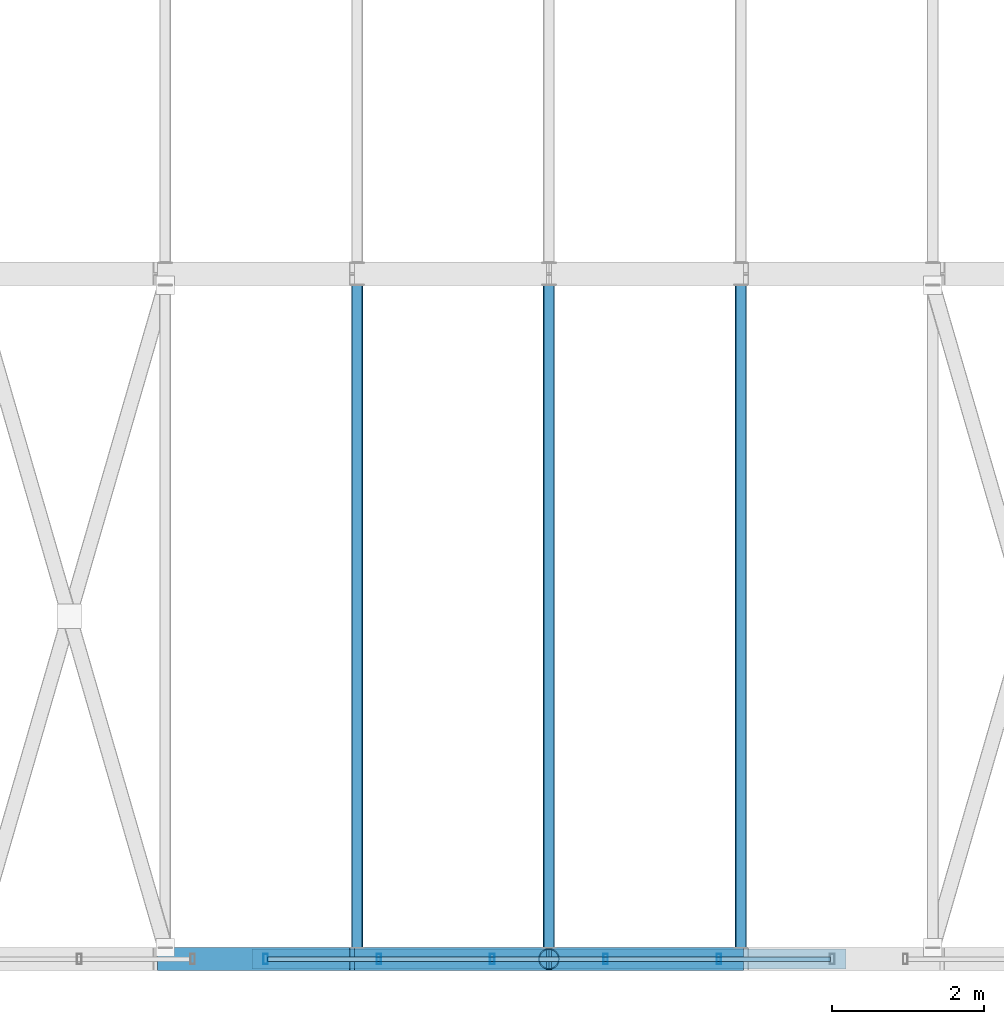
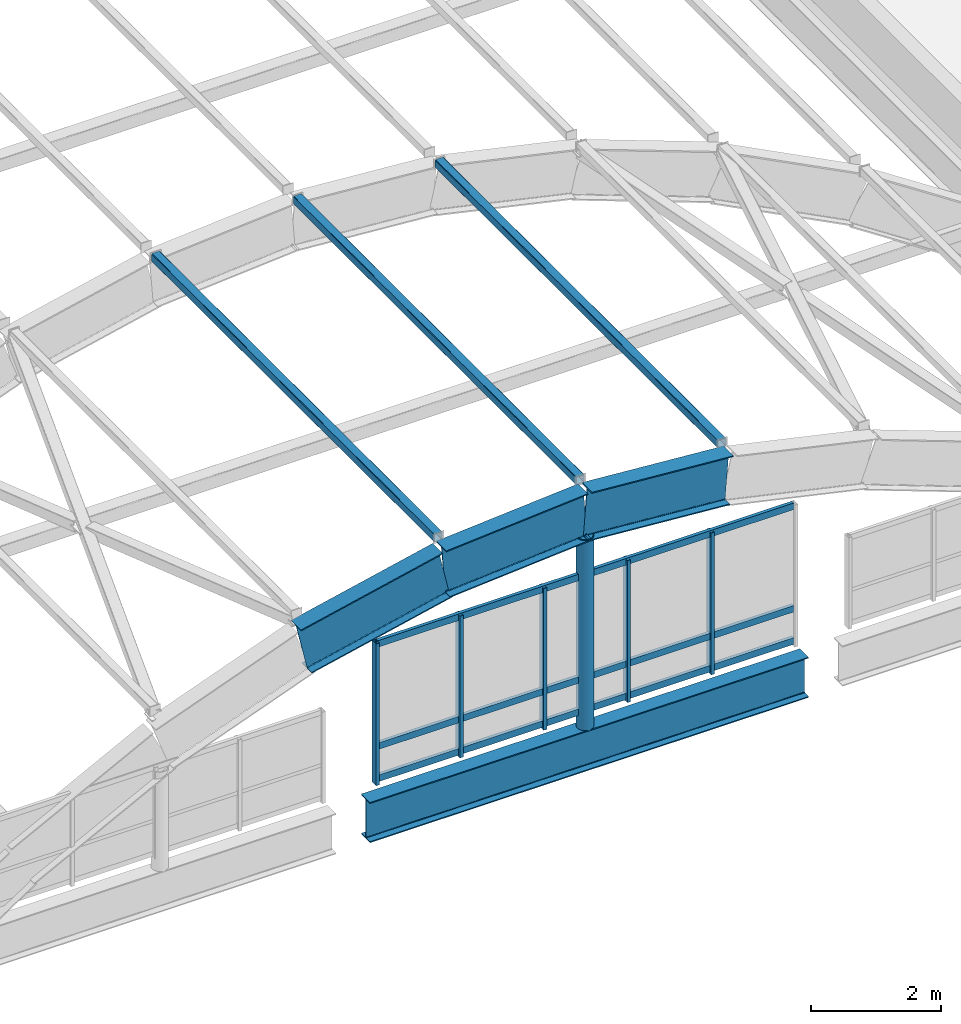
# One storey, part 9 of 130: 12 members, 4 beams, 1 element without a shape of its own.
"""IFC4 building model written with IfcOpenShell, lengths in metres."""

from ifc_helpers import new_model, si_unit, direction, frame, origin, origin_2d, place, context, subcontext, project, spatial, hollow_rectangle, hollow_circle, i_section, extrude, material, layer, layer_set, material_profile, profile_set, type_object, element, aggregate, save


model = new_model("IFC4")

# Units and contexts
model_context = context("Model", 3, precision=1e-05, world=origin(), true_north=direction((0.0, 1.0)))
body_context = subcontext(model_context, "Body", "Model", "MODEL_VIEW")
ifc_project = project(units=[si_unit("LENGTHUNIT", "METRE"), si_unit("AREAUNIT", "SQUARE_METRE"), si_unit("VOLUMEUNIT", "CUBIC_METRE"), si_unit("PLANEANGLEUNIT", "RADIAN"), si_unit("MASSUNIT", "GRAM", prefix="KILO")], contexts=[model_context])

# Site, building, storey
site_placement = place(None, origin())
site = spatial("IfcSite", under=ifc_project, at=site_placement, CompositionType="ELEMENT")
building_placement = place(site_placement, origin())
building = spatial("IfcBuilding", under=site, at=building_placement, Name="Vireocrest Preparatory School", CompositionType="ELEMENT")
storey_placement = place(building_placement, frame((0.0, 0.0, 9.0)))
storey = spatial("IfcBuildingStorey", under=building, at=storey_placement, Name="L02", CompositionType="ELEMENT", Elevation=9.0)

# Members
ifc_material_1 = material(Name="Structural steel ASTM A500 Grade C", Category="steel")
ifc_material_profile_1 = material_profile(ifc_material_1, hollow_rectangle(XDim=0.15234375, YDim=0.15234375, WallThickness=0.0087890625, InnerFilletRadius=0.0087890625, OuterFilletRadius=0.017822265625, at=origin_2d()), Name="HSS6X6X3/8")
ifc_profile_set_1 = profile_set([ifc_material_profile_1], Name="Structural steel ASTM A500 Grade C")
member_type_1 = type_object("IfcMemberType", Name="Barrel Vault Steel Purlin HSS6X6X3/8", PredefinedType="PURLIN", material=ifc_profile_set_1)
for number, where, z_axis, x_axis, name in (
    (1, (10.080078125, 9.1474609375, 4.114990234375), (0.0, 1.0, 0.0), (-1.0, 0.0, 0.0), "Sports Hall Barrel Vault Roof Purlin 1-5"),
    (2, (12.60009765625, 9.1474609375, 4.310302734375), (0.0, 1.0, 0.0), (-1.0, 0.0, 0.0), "Sports Hall Barrel Vault Roof Purlin 1-6"),
    (3, (15.1201171875, 9.1474609375, 4.114990234375), (0.0, 1.0, 0.0), (-1.0, 0.0, 0.0), "Sports Hall Barrel Vault Roof Purlin 1-7"),
):
    element("IfcMember", number, at=place(storey_placement, frame(where, z_axis=z_axis, x_axis=x_axis)), inside=storey, type_object=member_type_1, Name=name, PredefinedType="PURLIN", context=body_context, shape_type="SweptSolid", body=[
        extrude(hollow_rectangle(XDim=0.15234375, YDim=0.15234375, WallThickness=0.0087890625, InnerFilletRadius=0.0087890625, OuterFilletRadius=0.017822265625, at=origin_2d()), origin(), (0.0, 0.0, 1.0), 8.705078125),
    ])

# Curtain wall, members
ifc_material_2 = material(Name="Thermally broken aluminium EN AW-6063-T6", Category="aluminium")
ifc_layer = layer(ifc_material_2, 0.179931640625)
ifc_layer_set = layer_set([ifc_layer], Name="Thermally broken aluminium EN AW-6063-T6")
curtain_wall_type = type_object("IfcCurtainWallType", Name="Vault Centre Gable Clerestory 8400x3800", PredefinedType="USERDEFINED", material=ifc_layer_set)
curtain_wall_placement = place(storey_placement, origin())
curtain_wall = element("IfcCurtainWall", 4, at=curtain_wall_placement, inside=storey, type_object=curtain_wall_type, Name="Curtain Wall CW14 CW_L02_CW14_0088_0090_090", ObjectType="CURTAIN WALL", PredefinedType="USERDEFINED")
ifc_material_profile_2 = material_profile(ifc_material_2, hollow_rectangle(XDim=0.06005859375, YDim=0.135009765625, WallThickness=0.00390625, at=origin_2d()), Name="ALU 60x135x4")
ifc_profile_set_2 = profile_set([ifc_material_profile_2], Name="Thermally broken aluminium EN AW-6063-T6")
member_type_2 = type_object("IfcMemberType", Name="CW Clerestory Mullion 60x135x4", PredefinedType="MULLION", material=ifc_profile_set_2)
member_1_placement = place(storey_placement, frame((8.8798828125, 9.0, 0.0), z_axis=(0.0, 0.0, 1.0), x_axis=(1.0, 0.0, 0.0)))
member_1 = element("IfcMember", 5, at=member_1_placement, type_object=member_type_2, Name="CW Mullion ML6 CW_L02_CW14_0088_0090_090-1", PredefinedType="MULLION", context=body_context, shape_type="SweptSolid", body=[
    extrude(hollow_rectangle(XDim=0.06005859375, YDim=0.135009765625, WallThickness=0.00390625, at=origin_2d()), origin(), (0.0, 0.0, 1.0), 2.6650390625),
])
member_2_placement = place(storey_placement, frame((10.367919921875, 9.0, 0.0), z_axis=(0.0, 0.0, 1.0), x_axis=(1.0, 0.0, 0.0)))
member_2 = element("IfcMember", 6, at=member_2_placement, type_object=member_type_2, Name="CW Mullion ML6 CW_L02_CW14_0088_0090_090-2", PredefinedType="MULLION", context=body_context, shape_type="SweptSolid", body=[
    extrude(hollow_rectangle(XDim=0.06005859375, YDim=0.135009765625, WallThickness=0.00390625, at=origin_2d()), origin(), (0.0, 0.0, 1.0), 2.6650390625),
])
member_3_placement = place(storey_placement, frame((11.85595703125, 9.0, 0.0), z_axis=(0.0, 0.0, 1.0), x_axis=(1.0, 0.0, 0.0)))
member_3 = element("IfcMember", 7, at=member_3_placement, type_object=member_type_2, Name="CW Mullion ML6 CW_L02_CW14_0088_0090_090-3", PredefinedType="MULLION", context=body_context, shape_type="SweptSolid", body=[
    extrude(hollow_rectangle(XDim=0.06005859375, YDim=0.135009765625, WallThickness=0.00390625, at=origin_2d()), origin(), (0.0, 0.0, 1.0), 2.6650390625),
])
member_4_placement = place(storey_placement, frame((13.343994140625, 9.0, 0.0), z_axis=(0.0, 0.0, 1.0), x_axis=(1.0, 0.0, 0.0)))
member_4 = element("IfcMember", 8, at=member_4_placement, type_object=member_type_2, Name="CW Mullion ML6 CW_L02_CW14_0088_0090_090-4", PredefinedType="MULLION", context=body_context, shape_type="SweptSolid", body=[
    extrude(hollow_rectangle(XDim=0.06005859375, YDim=0.135009765625, WallThickness=0.00390625, at=origin_2d()), origin(), (0.0, 0.0, 1.0), 2.6650390625),
])
member_5_placement = place(storey_placement, frame((14.83203125, 9.0, 0.0), z_axis=(0.0, 0.0, 1.0), x_axis=(1.0, 0.0, 0.0)))
member_5 = element("IfcMember", 9, at=member_5_placement, type_object=member_type_2, Name="CW Mullion ML6 CW_L02_CW14_0088_0090_090-5", PredefinedType="MULLION", context=body_context, shape_type="SweptSolid", body=[
    extrude(hollow_rectangle(XDim=0.06005859375, YDim=0.135009765625, WallThickness=0.00390625, at=origin_2d()), origin(), (0.0, 0.0, 1.0), 2.6650390625),
])
ifc_material_profile_3 = material_profile(ifc_material_2, hollow_rectangle(XDim=0.06005859375, YDim=0.125, WallThickness=0.00390625, at=origin_2d()), Name="ALU 60x125x4")
ifc_profile_set_3 = profile_set([ifc_material_profile_3], Name="Thermally broken aluminium EN AW-6063-T6")
member_type_3 = type_object("IfcMemberType", Name="CW Clerestory Transom 60x125x4", PredefinedType="USERDEFINED", material=ifc_profile_set_3)
member_6_placement = place(storey_placement, frame((8.905029296875, 9.0, 0.094970703125), z_axis=(1.0, 0.0, 0.0), x_axis=(0.0, 1.0, 0.0)))
member_6 = element("IfcMember", 10, at=member_6_placement, type_object=member_type_3, Name="CW Transom TR6 CW_L02_CW14_0088_0090_090-1", ObjectType="TRANSOM", PredefinedType="USERDEFINED", context=body_context, shape_type="SweptSolid", body=[
    extrude(hollow_rectangle(XDim=0.06005859375, YDim=0.125, WallThickness=0.00390625, at=origin_2d()), origin(), (0.0, 0.0, 1.0), 7.389892578125),
])
member_7_placement = place(storey_placement, frame((8.905029296875, 9.0, 0.699951171875), z_axis=(1.0, 0.0, 0.0), x_axis=(0.0, 1.0, 0.0)))
member_7 = element("IfcMember", 11, at=member_7_placement, type_object=member_type_3, Name="CW Transom TR6 CW_L02_CW14_0088_0090_090-2", ObjectType="TRANSOM", PredefinedType="USERDEFINED", context=body_context, shape_type="SweptSolid", body=[
    extrude(hollow_rectangle(XDim=0.06005859375, YDim=0.125, WallThickness=0.00390625, at=origin_2d()), origin(), (0.0, 0.0, 1.0), 7.389892578125),
])
member_8_placement = place(storey_placement, frame((8.905029296875, 9.0, 2.625), z_axis=(1.0, 0.0, 0.0), x_axis=(0.0, 1.0, 0.0)))
member_8 = element("IfcMember", 12, at=member_8_placement, type_object=member_type_3, Name="CW Transom TR6 CW_L02_CW14_0088_0090_090-3", ObjectType="TRANSOM", PredefinedType="USERDEFINED", context=body_context, shape_type="SweptSolid", body=[
    extrude(hollow_rectangle(XDim=0.06005859375, YDim=0.125, WallThickness=0.00390625, at=origin_2d()), origin(), (0.0, 0.0, 1.0), 7.389892578125),
])
aggregate(curtain_wall, [member_1, member_2, member_3, member_4, member_5, member_6, member_7, member_8])

# Beams
ifc_material_3 = material(Name="Structural steel ASTM A992 Grade 50", Category="steel")
ifc_material_profile_4 = material_profile(ifc_material_3, i_section(OverallWidth=0.304931640625, OverallDepth=0.904052734375, WebThickness=0.01513671875, FlangeThickness=0.02001953125, FilletRadius=0.02392578125, at=origin_2d()), Name="W36X135")
ifc_profile_set_4 = profile_set([ifc_material_profile_4], Name="Structural steel ASTM A992 Grade 50")
beam_type_1 = type_object("IfcBeamType", Name="Sports Hall Barrel Vault Arch Rib W36X135", PredefinedType="BEAM", material=ifc_profile_set_4)
beam_1_placement = place(storey_placement, frame((7.56005859375, 9.0, 3.025146484375), z_axis=(0.975941722244, 0.0, 0.218031545388), x_axis=(0.0, 1.0, 0.0)))
element("IfcBeam", 13, at=beam_1_placement, inside=storey, type_object=beam_type_1, Name="Sports Hall Barrel Vault Roof Arch Rib 1 Seg 4", PredefinedType="BEAM", context=body_context, shape_type="SweptSolid", body=[
    extrude(i_section(OverallWidth=0.304931640625, OverallDepth=0.904052734375, WebThickness=0.01513671875, FlangeThickness=0.02001953125, FilletRadius=0.02392578125, at=origin_2d()), origin(), (0.0, 0.0, 1.0), 2.58203125),
])
for number, where, z_axis, x_axis, name in (
    (14, (10.080078125, 9.0, 3.59765625), (0.997017437862, 0.0, 0.077176606554), (0.0, 1.0, 0.0), "Sports Hall Barrel Vault Roof Arch Rib 1 Seg 5"),
    (15, (12.60009765625, 9.0, 3.792724609375), (0.997017437862, 0.0, -0.077176606554), (0.0, 1.0, 0.0), "Sports Hall Barrel Vault Roof Arch Rib 1 Seg 6"),
):
    element("IfcBeam", number, at=place(storey_placement, frame(where, z_axis=z_axis, x_axis=x_axis)), inside=storey, type_object=beam_type_1, Name=name, PredefinedType="BEAM", context=body_context, shape_type="SweptSolid", body=[
        extrude(i_section(OverallWidth=0.304931640625, OverallDepth=0.904052734375, WebThickness=0.01513671875, FlangeThickness=0.02001953125, FilletRadius=0.02392578125, at=origin_2d()), origin(), (0.0, 0.0, 1.0), 2.527587890625),
    ])
ifc_material_profile_5 = material_profile(ifc_material_3, i_section(OverallWidth=0.26708984375, OverallDepth=0.758056640625, WebThickness=0.013916015625, FlangeThickness=0.019287109375, FilletRadius=0.01904296875, at=origin_2d()), Name="W30X108")
ifc_profile_set_5 = profile_set([ifc_material_profile_5], Name="Structural steel ASTM A992 Grade 50")
beam_type_2 = type_object("IfcBeamType", Name="Sports Hall Vault Ring Beam W30X108", PredefinedType="BEAM", material=ifc_profile_set_5)
beam_2_placement = place(storey_placement, frame((8.699951171875, 9.0, -0.59912109375), z_axis=(1.0, 0.0, 0.0), x_axis=(0.0, 1.0, 0.0)))
element("IfcBeam", 16, at=beam_2_placement, inside=storey, type_object=beam_type_2, Name="Sports Hall Barrel Vault Roof Gable Ring Beam S-2", PredefinedType="BEAM", context=body_context, shape_type="SweptSolid", body=[
    extrude(i_section(OverallWidth=0.26708984375, OverallDepth=0.758056640625, WebThickness=0.013916015625, FlangeThickness=0.019287109375, FilletRadius=0.01904296875, at=origin_2d()), origin(), (0.0, 0.0, 1.0), 7.800048828125),
])

# Member
ifc_material_4 = material(Name="Painted white steel ASTM A500 Grade C", Category="steel")
ifc_material_profile_6 = material_profile(ifc_material_4, hollow_circle(Radius=0.136474609375, WallThickness=0.0126953125, at=origin_2d()), Name="HSS10.750X0.500")
ifc_profile_set_6 = profile_set([ifc_material_profile_6], Name="Painted white steel ASTM A500 Grade C")
member_type_4 = type_object("IfcMemberType", Name="White Steel Clerestory Strut HSS10.750X0.500", PredefinedType="USERDEFINED", material=ifc_profile_set_6)
member_9_placement = place(storey_placement, frame((12.60009765625, 9.0, -0.239990234375), z_axis=(0.0, 0.0, 1.0), x_axis=(1.0, 0.0, 0.0)))
element("IfcMember", 17, at=member_9_placement, inside=storey, type_object=member_type_4, Name="Sports Hall Barrel Vault Roof Gable Mullion Post 1-5", ObjectType="STRUT", PredefinedType="USERDEFINED", context=body_context, shape_type="SweptSolid", body=[
    extrude(hollow_circle(Radius=0.136474609375, WallThickness=0.0126953125, at=origin_2d()), origin(), (0.0, 0.0, 1.0), 3.600830078125),
])

save(model, "model.ifc")
